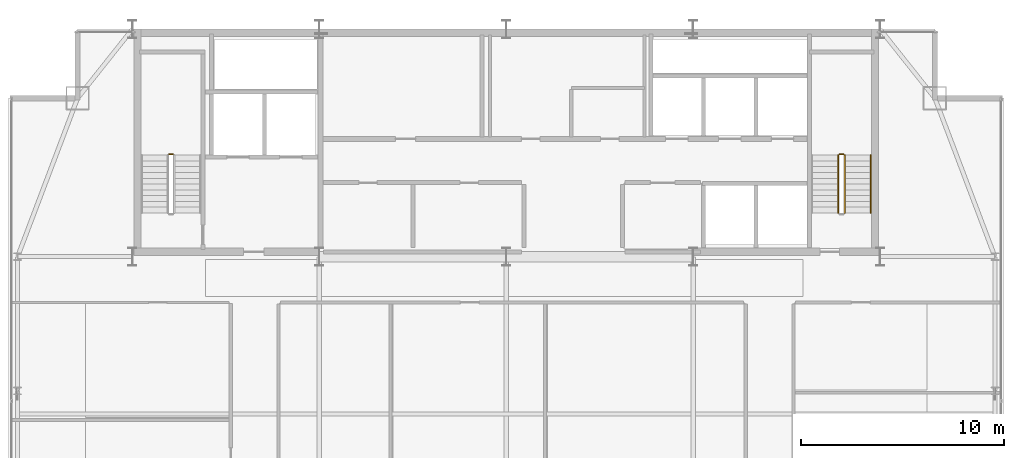
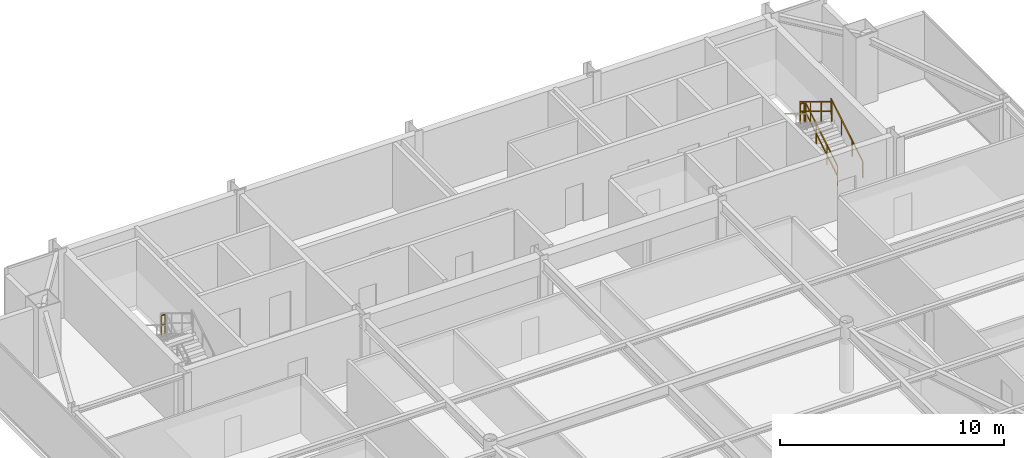
# One storey, part 30 of 30: 5 railings.
"""IFC4 building model written with IfcOpenShell, lengths in metres."""

from ifc_helpers import new_model, si_unit, direction, frame, origin, origin_2d, place, context, subcontext, project, spatial, rectangle, extrude, material, type_object, element, save


model = new_model("IFC4")

# Units and contexts
model_context = context("Model", 3, precision=1e-05, world=origin(), true_north=direction((0.0, 1.0)))
body_context = subcontext(model_context, "Body", "Model", "MODEL_VIEW")
ifc_project = project(units=[si_unit("LENGTHUNIT", "METRE"), si_unit("AREAUNIT", "SQUARE_METRE"), si_unit("VOLUMEUNIT", "CUBIC_METRE"), si_unit("PLANEANGLEUNIT", "RADIAN"), si_unit("MASSUNIT", "GRAM", prefix="KILO")], contexts=[model_context])

# Site, building, storey
site_placement = place(None, origin())
site = spatial("IfcSite", under=ifc_project, at=site_placement, CompositionType="ELEMENT")
building_placement = place(site_placement, origin())
building = spatial("IfcBuilding", under=site, at=building_placement, Name="Varnel Quay Broadcast Tower", CompositionType="ELEMENT")
storey_placement = place(building_placement, frame((0.0, 0.0, 211.199951171875)))
storey = spatial("IfcBuildingStorey", under=building, at=storey_placement, Name="L52", CompositionType="ELEMENT", Elevation=211.199951171875)

# Railings
ifc_material = material(Name="Painted Steel Guard and Handrail CSA G40.21 350W", Category="steel")
railing_type_1 = type_object("IfcRailingType", Name="Rail_StairGuard1100", PredefinedType="GUARDRAIL", material=ifc_material)
railing_1_placement = place(storey_placement, frame((17.60009765625, 40.64990234375, 1.900146484375)))
element("IfcRailing", 1, at=railing_1_placement, inside=storey, type_object=railing_type_1, Name="L52 ST-01 stair guard 2", PredefinedType="GUARDRAIL", context=body_context, shape_type="SweptSolid", body=[
    extrude(rectangle(XDim=0.048095703125, YDim=0.048095703125, at=origin_2d()), frame((0.0, 0.0, 1.076171875), z_axis=(-1.0, 0.0, 0.0), x_axis=(0.0, -1.0, 0.0)), (0.0, 0.0, 1.0), 0.2001953125),
    extrude(rectangle(XDim=0.048095703125, YDim=0.048095703125, at=origin_2d()), frame((0.0, 0.0, 0.550048828125), z_axis=(-1.0, 0.0, 0.0), x_axis=(0.0, -1.0, 0.0)), (0.0, 0.0, 1.0), 0.2001953125),
    extrude(rectangle(XDim=0.0419921875, YDim=0.0419921875, at=origin_2d()), origin(), (0.0, 0.0, 1.0), 1.052001953125),
    extrude(rectangle(XDim=0.0419921875, YDim=0.0419921875, at=origin_2d()), frame((-0.2001953125, 0.0, 0.0)), (0.0, 0.0, 1.0), 1.052001953125),
])
railing_2_placement = place(storey_placement, frame((50.64990234375, 37.75, 0.1728515625)))
element("IfcRailing", 2, at=railing_2_placement, inside=storey, type_object=railing_type_1, Name="L52 ST-02 stair guard 1", PredefinedType="GUARDRAIL", context=body_context, shape_type="SweptSolid", body=[
    extrude(rectangle(XDim=0.048095703125, YDim=0.048095703125, at=origin_2d()), frame((0.0, 0.0, 1.076171875), z_axis=(0.0, 0.855202751398, 0.518293598264), x_axis=(-1.0, 0.0, 0.0)), (0.0, 0.0, 1.0), 3.332763671875),
    extrude(rectangle(XDim=0.048095703125, YDim=0.048095703125, at=origin_2d()), frame((0.0, 0.0, 0.550048828125), z_axis=(0.0, 0.855202751398, 0.518293598264), x_axis=(-1.0, 0.0, 0.0)), (0.0, 0.0, 1.0), 3.332763671875),
    extrude(rectangle(XDim=0.0419921875, YDim=0.0419921875, at=origin_2d()), origin(), (0.0, 0.0, 1.0), 1.052001953125),
    extrude(rectangle(XDim=0.0419921875, YDim=0.0419921875, at=origin_2d()), frame((0.0, 0.949951171875, 0.57568359375)), (0.0, 0.0, 1.0), 1.052001953125),
    extrude(rectangle(XDim=0.0419921875, YDim=0.0419921875, at=origin_2d()), frame((0.0, 1.900146484375, 1.151611328125)), (0.0, 0.0, 1.0), 1.052001953125),
    extrude(rectangle(XDim=0.0419921875, YDim=0.0419921875, at=origin_2d()), frame((0.0, 2.85009765625, 1.727294921875)), (0.0, 0.0, 1.0), 1.052001953125),
])
railing_3_placement = place(storey_placement, frame((50.60009765625, 40.64990234375, 1.900146484375)))
element("IfcRailing", 3, at=railing_3_placement, inside=storey, type_object=railing_type_1, Name="L52 ST-02 stair guard 2", PredefinedType="GUARDRAIL", context=body_context, shape_type="SweptSolid", body=[
    extrude(rectangle(XDim=0.048095703125, YDim=0.048095703125, at=origin_2d()), frame((0.0, 0.0, 1.076171875), z_axis=(-1.0, 0.0, 0.0), x_axis=(0.0, -1.0, 0.0)), (0.0, 0.0, 1.0), 0.2001953125),
    extrude(rectangle(XDim=0.048095703125, YDim=0.048095703125, at=origin_2d()), frame((0.0, 0.0, 0.550048828125), z_axis=(-1.0, 0.0, 0.0), x_axis=(0.0, -1.0, 0.0)), (0.0, 0.0, 1.0), 0.2001953125),
    extrude(rectangle(XDim=0.0419921875, YDim=0.0419921875, at=origin_2d()), origin(), (0.0, 0.0, 1.0), 1.052001953125),
    extrude(rectangle(XDim=0.0419921875, YDim=0.0419921875, at=origin_2d()), frame((-0.2001953125, 0.0, 0.0)), (0.0, 0.0, 1.0), 1.052001953125),
])
railing_4_placement = place(storey_placement, frame((50.35009765625, 40.60009765625, 2.07275390625)))
element("IfcRailing", 4, at=railing_4_placement, inside=storey, type_object=railing_type_1, Name="L52 ST-02 stair guard 3", PredefinedType="GUARDRAIL", context=body_context, shape_type="SweptSolid", body=[
    extrude(rectangle(XDim=0.048095703125, YDim=0.048095703125, at=origin_2d()), frame((0.0, 0.0, 1.076171875), z_axis=(0.0, -0.855202751398, 0.518293598264), x_axis=(1.0, 0.0, 0.0)), (0.0, 0.0, 1.0), 3.332763671875),
    extrude(rectangle(XDim=0.048095703125, YDim=0.048095703125, at=origin_2d()), frame((0.0, 0.0, 0.550048828125), z_axis=(0.0, -0.855202751398, 0.518293598264), x_axis=(1.0, 0.0, 0.0)), (0.0, 0.0, 1.0), 3.332763671875),
    extrude(rectangle(XDim=0.0419921875, YDim=0.0419921875, at=origin_2d()), origin(), (0.0, 0.0, 1.0), 1.052001953125),
    extrude(rectangle(XDim=0.0419921875, YDim=0.0419921875, at=origin_2d()), frame((0.0, -0.949951171875, 0.57568359375)), (0.0, 0.0, 1.0), 1.052001953125),
    extrude(rectangle(XDim=0.0419921875, YDim=0.0419921875, at=origin_2d()), frame((0.0, -1.900146484375, 1.151611328125)), (0.0, 0.0, 1.0), 1.052001953125),
    extrude(rectangle(XDim=0.0419921875, YDim=0.0419921875, at=origin_2d()), frame((0.0, -2.85009765625, 1.727294921875)), (0.0, 0.0, 1.0), 1.052001953125),
])
railing_type_2 = type_object("IfcRailingType", Name="Rail_StairHandrail900", PredefinedType="HANDRAIL", material=ifc_material)
railing_5_placement = place(storey_placement, frame((51.949951171875, 37.75, 0.1728515625)))
element("IfcRailing", 5, at=railing_5_placement, inside=storey, type_object=railing_type_2, Name="L52 ST-02 stair handrail 1", PredefinedType="HANDRAIL", context=body_context, shape_type="SweptSolid", body=[
    extrude(rectangle(XDim=0.048095703125, YDim=0.048095703125, at=origin_2d()), frame((0.0, 0.0, 0.8759765625), z_axis=(0.0, 0.855202751398, 0.518293598264), x_axis=(-1.0, 0.0, 0.0)), (0.0, 0.0, 1.0), 3.332763671875),
    extrude(rectangle(XDim=0.0419921875, YDim=0.0419921875, at=origin_2d()), origin(), (0.0, 0.0, 1.0), 0.851806640625),
    extrude(rectangle(XDim=0.0419921875, YDim=0.0419921875, at=origin_2d()), frame((0.0, 0.949951171875, 0.57568359375)), (0.0, 0.0, 1.0), 0.851806640625),
    extrude(rectangle(XDim=0.0419921875, YDim=0.0419921875, at=origin_2d()), frame((0.0, 1.900146484375, 1.151611328125)), (0.0, 0.0, 1.0), 0.851806640625),
    extrude(rectangle(XDim=0.0419921875, YDim=0.0419921875, at=origin_2d()), frame((0.0, 2.85009765625, 1.727294921875)), (0.0, 0.0, 1.0), 0.851806640625),
])

save(model, "model.ifc")
